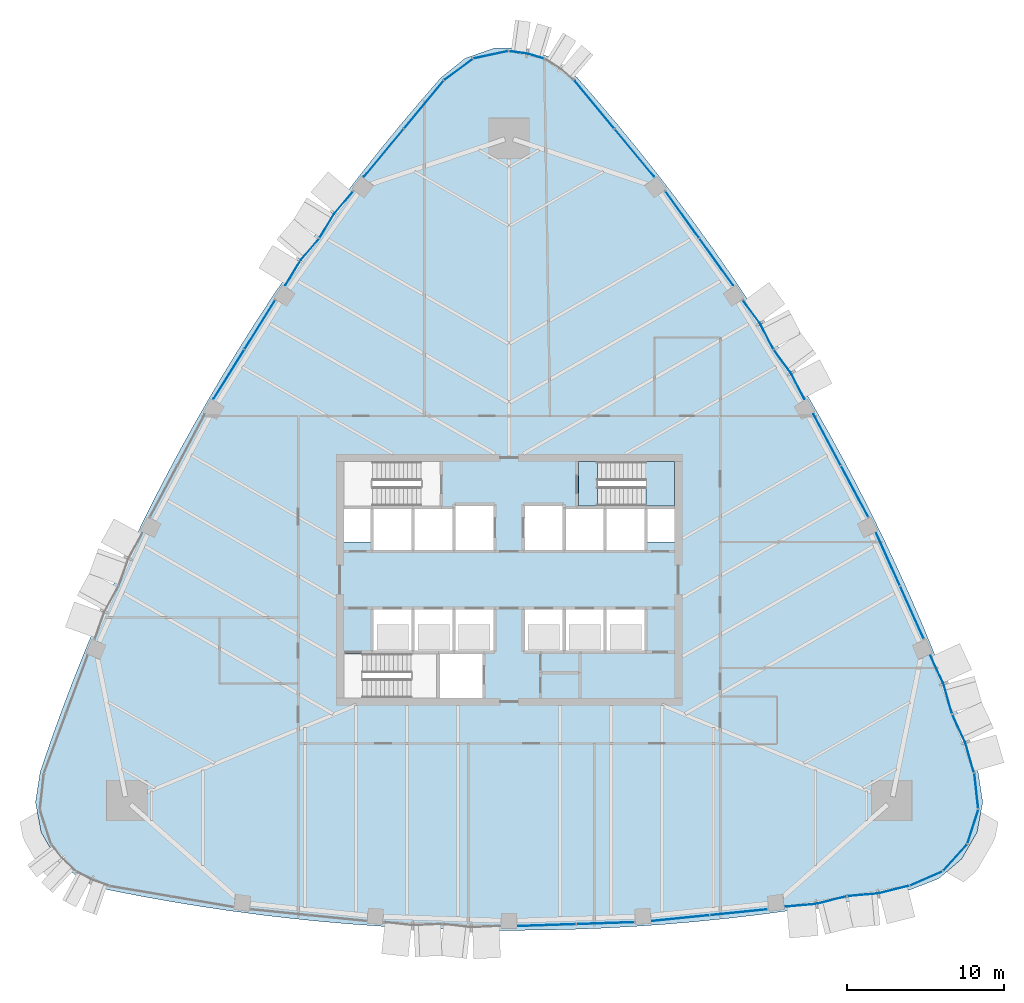
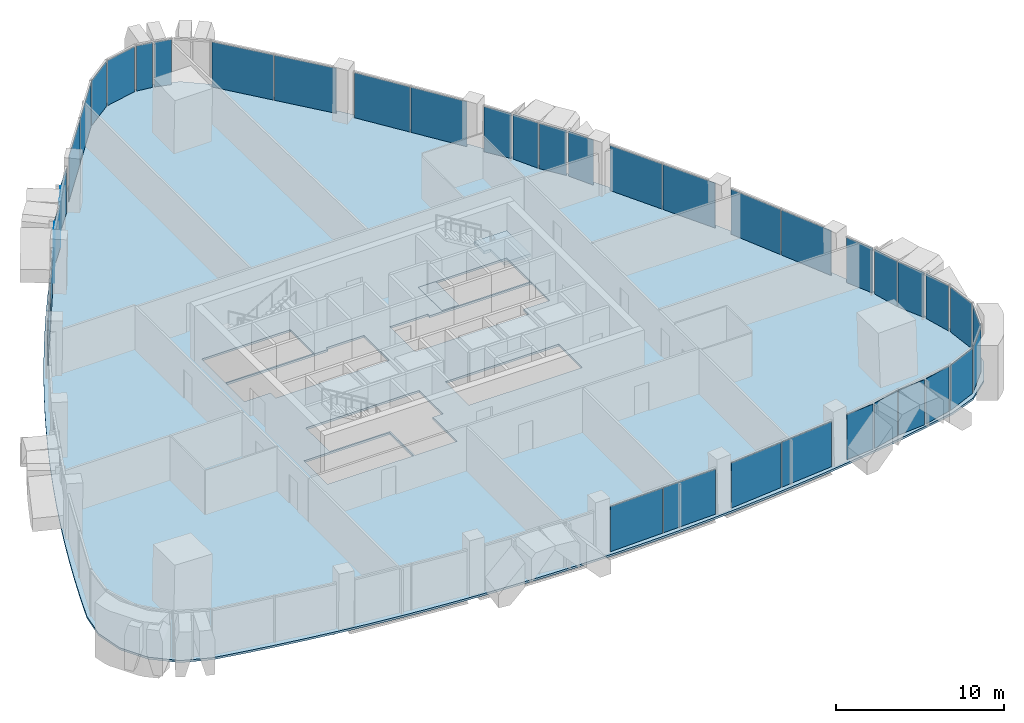
# One storey, part 9 of 17: 40 plates, 3 slabs, 20 elements without a shape of their own.
"""IFC4 building model written with IfcOpenShell, lengths in metres."""

from ifc_helpers import new_model, si_unit, direction, frame, origin, origin_2d, place, context, subcontext, project, spatial, polyline, rectangle, outline, extrude, material, layer, layer_set, type_object, element, aggregate, save


model = new_model("IFC4")

# Units and contexts
model_context = context("Model", 3, precision=1e-05, world=origin(), true_north=direction((0.0, 1.0)))
body_context = subcontext(model_context, "Body", "Model", "MODEL_VIEW")
ifc_project = project(units=[si_unit("LENGTHUNIT", "METRE"), si_unit("AREAUNIT", "SQUARE_METRE"), si_unit("VOLUMEUNIT", "CUBIC_METRE"), si_unit("PLANEANGLEUNIT", "RADIAN"), si_unit("MASSUNIT", "GRAM", prefix="KILO")], contexts=[model_context])

# Site, building, storey
site_placement = place(None, origin())
site = spatial("IfcSite", under=ifc_project, at=site_placement, CompositionType="ELEMENT")
building_placement = place(site_placement, origin())
building = spatial("IfcBuilding", under=site, at=building_placement, Name="Sierra Prisma Convention Tower", CompositionType="ELEMENT")
storey_placement = place(building_placement, frame((0.0, 0.0, 153.800048828125)))
storey = spatial("IfcBuildingStorey", under=building, at=storey_placement, Name="L33", CompositionType="ELEMENT", Elevation=153.800048828125)

# Curtain wall, plates
ifc_material_1 = material(Name="Aluminium and glass curtain wall", Category="aluminium")
ifc_layer_1 = layer(ifc_material_1, 0.179931640625)
ifc_layer_set_1 = layer_set([ifc_layer_1], Name="CW-1 Plain shaft curtain wall")
curtain_wall_type_1 = type_object("IfcCurtainWallType", Name="CW-1 Plain shaft curtain wall", PredefinedType="NOTDEFINED", material=ifc_layer_set_1)
curtain_wall_1_placement = place(storey_placement, origin())
curtain_wall_1 = element("IfcCurtainWall", 1, at=curtain_wall_1_placement, inside=storey, type_object=curtain_wall_type_1, Name="CW-1 S4 L33", PredefinedType="NOTDEFINED")
ifc_material_2 = material(Name="Tinted glass bronze-grey IGU", Category="glass")
ifc_layer_2 = layer(ifc_material_2, 0.028076171875)
ifc_layer_set_2 = layer_set([ifc_layer_2], Name="CW-1 glass panel")
plate_type_1 = type_object("IfcPlateType", Name="CW-1 glass panel", PredefinedType="CURTAIN_PANEL", material=ifc_layer_set_2)
plate_1_placement = place(storey_placement, frame((2.39501953125, -21.93505859375, 0.0), z_axis=(0.0, 0.0, 1.0), x_axis=(0.999435043349, 0.03360943507, 0.0)))
plate_1 = element("IfcPlate", 2, at=plate_1_placement, type_object=plate_type_1, Name="CW-1 panel S4.1", PredefinedType="CURTAIN_PANEL", context=body_context, shape_type="SweptSolid", body=[
    extrude(rectangle(XDim=3.652587890625, YDim=0.028076171875, at=origin_2d()), origin(), (0.0, 0.0, 1.0), 3.280029296875),
])
plate_2_placement = place(storey_placement, frame((6.115234375, -21.81005859375, 0.0), z_axis=(0.0, 0.0, 1.0), x_axis=(0.999435043349, 0.03360943507, 0.0)))
plate_2 = element("IfcPlate", 3, at=plate_2_placement, type_object=plate_type_1, Name="CW-1 panel S4.2", PredefinedType="CURTAIN_PANEL", context=body_context, shape_type="SweptSolid", body=[
    extrude(rectangle(XDim=3.652587890625, YDim=0.028076171875, at=origin_2d()), origin(), (0.0, 0.0, 1.0), 3.280029296875),
])
aggregate(curtain_wall_1, [plate_1, plate_2])

curtain_wall_2_placement = place(storey_placement, origin())
curtain_wall_2 = element("IfcCurtainWall", 4, at=curtain_wall_2_placement, inside=storey, type_object=curtain_wall_type_1, Name="CW-1 S5 L33", PredefinedType="NOTDEFINED")
plate_3_placement = place(storey_placement, frame((10.89892578125, -21.48876953125, 0.0), z_axis=(0.0, 0.0, 1.0), x_axis=(0.994919219535, 0.100676445112, 0.0)))
plate_3 = element("IfcPlate", 5, at=plate_3_placement, type_object=plate_type_1, Name="CW-1 panel S5.1", PredefinedType="CURTAIN_PANEL", context=body_context, shape_type="SweptSolid", body=[
    extrude(rectangle(XDim=3.636474609375, YDim=0.028076171875, at=origin_2d()), origin(), (0.0, 0.0, 1.0), 3.280029296875),
])
plate_4_placement = place(storey_placement, frame((14.58642578125, -21.115478515625, 0.0), z_axis=(0.0, 0.0, 1.0), x_axis=(0.994919219535, 0.100676445112, 0.0)))
plate_4 = element("IfcPlate", 6, at=plate_4_placement, type_object=plate_type_1, Name="CW-1 panel S5.2", PredefinedType="CURTAIN_PANEL", context=body_context, shape_type="SweptSolid", body=[
    extrude(rectangle(XDim=3.636474609375, YDim=0.028076171875, at=origin_2d()), origin(), (0.0, 0.0, 1.0), 3.280029296875),
])
aggregate(curtain_wall_2, [plate_3, plate_4])

# Curtain wall, plate
curtain_wall_3_placement = place(storey_placement, origin())
curtain_wall_3 = element("IfcCurtainWall", 7, at=curtain_wall_3_placement, inside=storey, type_object=curtain_wall_type_1, Name="CW-1 SE1 L33", PredefinedType="NOTDEFINED")
plate_5_placement = place(storey_placement, frame((26.4755859375, -18.97900390625, 0.0), z_axis=(0.0, 0.0, 1.0), x_axis=(0.915892638209, 0.401423311823, 0.0)))
plate_5 = element("IfcPlate", 8, at=plate_5_placement, type_object=plate_type_1, Name="CW-1 panel SE1.1", PredefinedType="CURTAIN_PANEL", context=body_context, shape_type="SweptSolid", body=[
    extrude(rectangle(XDim=2.1767578125, YDim=0.028076171875, at=origin_2d()), origin(), (0.0, 0.0, 1.0), 3.280029296875),
])
aggregate(curtain_wall_3, [plate_5])

curtain_wall_4_placement = place(storey_placement, origin())
curtain_wall_4 = element("IfcCurtainWall", 9, at=curtain_wall_4_placement, inside=storey, type_object=curtain_wall_type_1, Name="CW-1 SE2 L33", PredefinedType="NOTDEFINED")
plate_6_placement = place(storey_placement, frame((28.3134765625, -17.654541015625, 0.0), z_axis=(0.0, 0.0, 1.0), x_axis=(0.670568249654, 0.741847843264, 0.0)))
plate_6 = element("IfcPlate", 10, at=plate_6_placement, type_object=plate_type_1, Name="CW-1 panel SE2.1", PredefinedType="CURTAIN_PANEL", context=body_context, shape_type="SweptSolid", body=[
    extrude(rectangle(XDim=2.1767578125, YDim=0.028076171875, at=origin_2d()), origin(), (0.0, 0.0, 1.0), 3.280029296875),
])
aggregate(curtain_wall_4, [plate_6])

curtain_wall_5_placement = place(storey_placement, origin())
curtain_wall_5 = element("IfcCurtainWall", 11, at=curtain_wall_5_placement, inside=storey, type_object=curtain_wall_type_1, Name="CW-1 SE3 L33", PredefinedType="NOTDEFINED")
plate_7_placement = place(storey_placement, frame((29.446044921875, -15.69287109375, 0.0), z_axis=(0.0, 0.0, 1.0), x_axis=(0.307174953183, 0.951653060804, 0.0)))
plate_7 = element("IfcPlate", 12, at=plate_7_placement, type_object=plate_type_1, Name="CW-1 panel SE3.1", PredefinedType="CURTAIN_PANEL", context=body_context, shape_type="SweptSolid", body=[
    extrude(rectangle(XDim=2.1767578125, YDim=0.028076171875, at=origin_2d()), origin(), (0.0, 0.0, 1.0), 3.280029296875),
])
aggregate(curtain_wall_5, [plate_7])

curtain_wall_6_placement = place(storey_placement, origin())
curtain_wall_6 = element("IfcCurtainWall", 13, at=curtain_wall_6_placement, inside=storey, type_object=curtain_wall_type_1, Name="CW-1 SE4 L33", PredefinedType="NOTDEFINED")
plate_8_placement = place(storey_placement, frame((29.674072265625, -13.43896484375, 0.0), z_axis=(0.0, 0.0, 1.0), x_axis=(-0.110303533395, 0.993897947739, 0.0)))
plate_8 = element("IfcPlate", 14, at=plate_8_placement, type_object=plate_type_1, Name="CW-1 panel SE4.1", PredefinedType="CURTAIN_PANEL", context=body_context, shape_type="SweptSolid", body=[
    extrude(rectangle(XDim=2.1767578125, YDim=0.028076171875, at=origin_2d()), origin(), (0.0, 0.0, 1.0), 3.280029296875),
])
aggregate(curtain_wall_6, [plate_8])

# Curtain wall, plates
curtain_wall_7_placement = place(storey_placement, origin())
curtain_wall_7 = element("IfcCurtainWall", 15, at=curtain_wall_7_placement, inside=storey, type_object=curtain_wall_type_1, Name="CW-1 NE2 L33", PredefinedType="NOTDEFINED")
plate_9_placement = place(storey_placement, frame((25.579833984375, -2.07470703125, 0.0), z_axis=(0.0, 0.0, 1.0), x_axis=(-0.410271250738, 0.911963541386, 0.0)))
plate_9 = element("IfcPlate", 16, at=plate_9_placement, type_object=plate_type_1, Name="CW-1 panel NE2.1", PredefinedType="CURTAIN_PANEL", context=body_context, shape_type="SweptSolid", body=[
    extrude(rectangle(XDim=3.636474609375, YDim=0.028076171875, at=origin_2d()), origin(), (0.0, 0.0, 1.0), 3.280029296875),
])
plate_10_placement = place(storey_placement, frame((24.05908203125, 1.3056640625, 0.0), z_axis=(0.0, 0.0, 1.0), x_axis=(-0.410271250738, 0.911963541386, 0.0)))
plate_10 = element("IfcPlate", 17, at=plate_10_placement, type_object=plate_type_1, Name="CW-1 panel NE2.2", PredefinedType="CURTAIN_PANEL", context=body_context, shape_type="SweptSolid", body=[
    extrude(rectangle(XDim=3.636474609375, YDim=0.028076171875, at=origin_2d()), origin(), (0.0, 0.0, 1.0), 3.280029296875),
])
aggregate(curtain_wall_7, [plate_9, plate_10])

curtain_wall_8_placement = place(storey_placement, origin())
curtain_wall_8 = element("IfcCurtainWall", 18, at=curtain_wall_8_placement, inside=storey, type_object=curtain_wall_type_1, Name="CW-1 NE3 L33", PredefinedType="NOTDEFINED")
plate_11_placement = place(storey_placement, frame((21.94580078125, 5.60888671875, 0.0), z_axis=(0.0, 0.0, 1.0), x_axis=(-0.470610897097, 0.882340854508, 0.0)))
plate_11 = element("IfcPlate", 19, at=plate_11_placement, type_object=plate_type_1, Name="CW-1 panel NE3.1", PredefinedType="CURTAIN_PANEL", context=body_context, shape_type="SweptSolid", body=[
    extrude(rectangle(XDim=3.652587890625, YDim=0.028076171875, at=origin_2d()), origin(), (0.0, 0.0, 1.0), 3.280029296875),
])
plate_12_placement = place(storey_placement, frame((20.19384765625, 8.8935546875, 0.0), z_axis=(0.0, 0.0, 1.0), x_axis=(-0.470610897097, 0.882340854508, 0.0)))
plate_12 = element("IfcPlate", 20, at=plate_12_placement, type_object=plate_type_1, Name="CW-1 panel NE3.2", PredefinedType="CURTAIN_PANEL", context=body_context, shape_type="SweptSolid", body=[
    extrude(rectangle(XDim=3.652587890625, YDim=0.028076171875, at=origin_2d()), origin(), (0.0, 0.0, 1.0), 3.280029296875),
])
aggregate(curtain_wall_8, [plate_11, plate_12])

curtain_wall_9_placement = place(storey_placement, origin())
curtain_wall_9 = element("IfcCurtainWall", 21, at=curtain_wall_9_placement, inside=storey, type_object=curtain_wall_type_1, Name="CW-1 NE5 L33", PredefinedType="NOTDEFINED")
plate_13_placement = place(storey_placement, frame((13.159912109375, 20.183349609375, 0.0), z_axis=(0.0, 0.0, 1.0), x_axis=(-0.584647968797, 0.811287096274, 0.0)))
plate_13 = element("IfcPlate", 22, at=plate_13_placement, type_object=plate_type_1, Name="CW-1 panel NE5.1", PredefinedType="CURTAIN_PANEL", context=body_context, shape_type="SweptSolid", body=[
    extrude(rectangle(XDim=3.637451171875, YDim=0.028076171875, at=origin_2d()), origin(), (0.0, 0.0, 1.0), 3.280029296875),
])
plate_14_placement = place(storey_placement, frame((10.992431640625, 23.191162109375, 0.0), z_axis=(0.0, 0.0, 1.0), x_axis=(-0.584647968797, 0.811287096274, 0.0)))
plate_14 = element("IfcPlate", 23, at=plate_14_placement, type_object=plate_type_1, Name="CW-1 panel NE5.2", PredefinedType="CURTAIN_PANEL", context=body_context, shape_type="SweptSolid", body=[
    extrude(rectangle(XDim=3.637451171875, YDim=0.028076171875, at=origin_2d()), origin(), (0.0, 0.0, 1.0), 3.280029296875),
])
aggregate(curtain_wall_9, [plate_13, plate_14])

curtain_wall_10_placement = place(storey_placement, origin())
curtain_wall_10 = element("IfcCurtainWall", 24, at=curtain_wall_10_placement, inside=storey, type_object=curtain_wall_type_1, Name="CW-1 NE6 L33", PredefinedType="NOTDEFINED")
plate_15_placement = place(storey_placement, frame((7.960693359375, 27.108154296875, 0.0), z_axis=(0.0, 0.0, 1.0), x_axis=(-0.637830131698, 0.77017707256, 0.0)))
plate_15 = element("IfcPlate", 25, at=plate_15_placement, type_object=plate_type_1, Name="CW-1 panel NE6.1", PredefinedType="CURTAIN_PANEL", context=body_context, shape_type="SweptSolid", body=[
    extrude(rectangle(XDim=3.908935546875, YDim=0.028076171875, at=origin_2d()), origin(), (0.0, 0.0, 1.0), 3.280029296875),
])
plate_16_placement = place(storey_placement, frame((5.4228515625, 30.172607421875, 0.0), z_axis=(0.0, 0.0, 1.0), x_axis=(-0.637830131698, 0.77017707256, 0.0)))
plate_16 = element("IfcPlate", 26, at=plate_16_placement, type_object=plate_type_1, Name="CW-1 panel NE6.2", PredefinedType="CURTAIN_PANEL", context=body_context, shape_type="SweptSolid", body=[
    extrude(rectangle(XDim=3.908935546875, YDim=0.028076171875, at=origin_2d()), origin(), (0.0, 0.0, 1.0), 3.280029296875),
])
aggregate(curtain_wall_10, [plate_15, plate_16])

# Curtain wall, plate
curtain_wall_11_placement = place(storey_placement, origin())
curtain_wall_11 = element("IfcCurtainWall", 27, at=curtain_wall_11_placement, inside=storey, type_object=curtain_wall_type_1, Name="CW-1 N3 L33", PredefinedType="NOTDEFINED")
plate_17_placement = place(storey_placement, frame((-1.132568359375, 33.347412109375, 0.0), z_axis=(0.0, 0.0, 1.0), x_axis=(-0.977743202837, -0.209805217539, 0.0)))
plate_17 = element("IfcPlate", 28, at=plate_17_placement, type_object=plate_type_1, Name="CW-1 panel N3.1", PredefinedType="CURTAIN_PANEL", context=body_context, shape_type="SweptSolid", body=[
    extrude(rectangle(XDim=2.1767578125, YDim=0.028076171875, at=origin_2d()), origin(), (0.0, 0.0, 1.0), 3.280029296875),
])
aggregate(curtain_wall_11, [plate_17])

curtain_wall_12_placement = place(storey_placement, origin())
curtain_wall_12 = element("IfcCurtainWall", 29, at=curtain_wall_12_placement, inside=storey, type_object=curtain_wall_type_1, Name="CW-1 N4 L33", PredefinedType="NOTDEFINED")
plate_18_placement = place(storey_placement, frame((-3.198486328125, 32.41796875, 0.0), z_axis=(0.0, 0.0, 1.0), x_axis=(-0.805589104814, -0.592474635917, 0.0)))
plate_18 = element("IfcPlate", 30, at=plate_18_placement, type_object=plate_type_1, Name="CW-1 panel N4.1", PredefinedType="CURTAIN_PANEL", context=body_context, shape_type="SweptSolid", body=[
    extrude(rectangle(XDim=2.1767578125, YDim=0.028076171875, at=origin_2d()), origin(), (0.0, 0.0, 1.0), 3.280029296875),
])
aggregate(curtain_wall_12, [plate_18])

# Curtain wall, plates
curtain_wall_13_placement = place(storey_placement, origin())
curtain_wall_13 = element("IfcCurtainWall", 31, at=curtain_wall_13_placement, inside=storey, type_object=curtain_wall_type_1, Name="CW-1 NW1 L33", PredefinedType="NOTDEFINED")
plate_19_placement = place(storey_placement, frame((-5.4228515625, 30.172607421875, 0.0), z_axis=(0.0, 0.0, 1.0), x_axis=(-0.637830131698, -0.77017707256, 0.0)))
plate_19 = element("IfcPlate", 32, at=plate_19_placement, type_object=plate_type_1, Name="CW-1 panel NW1.1", PredefinedType="CURTAIN_PANEL", context=body_context, shape_type="SweptSolid", body=[
    extrude(rectangle(XDim=3.908935546875, YDim=0.028076171875, at=origin_2d()), origin(), (0.0, 0.0, 1.0), 3.280029296875),
])
plate_20_placement = place(storey_placement, frame((-7.960693359375, 27.108154296875, 0.0), z_axis=(0.0, 0.0, 1.0), x_axis=(-0.637830131698, -0.77017707256, 0.0)))
plate_20 = element("IfcPlate", 33, at=plate_20_placement, type_object=plate_type_1, Name="CW-1 panel NW1.2", PredefinedType="CURTAIN_PANEL", context=body_context, shape_type="SweptSolid", body=[
    extrude(rectangle(XDim=3.908935546875, YDim=0.028076171875, at=origin_2d()), origin(), (0.0, 0.0, 1.0), 3.280029296875),
])
aggregate(curtain_wall_13, [plate_19, plate_20])

curtain_wall_14_placement = place(storey_placement, origin())
curtain_wall_14 = element("IfcCurtainWall", 34, at=curtain_wall_14_placement, inside=storey, type_object=curtain_wall_type_1, Name="CW-1 NW3 L33", PredefinedType="NOTDEFINED")
plate_21_placement = place(storey_placement, frame((-15.830322265625, 16.200927734375, 0.0), z_axis=(0.0, 0.0, 1.0), x_axis=(-0.528824146252, -0.848731419438, 0.0)))
plate_21 = element("IfcPlate", 35, at=plate_21_placement, type_object=plate_type_1, Name="CW-1 panel NW3.1", PredefinedType="CURTAIN_PANEL", context=body_context, shape_type="SweptSolid", body=[
    extrude(rectangle(XDim=3.652587890625, YDim=0.028076171875, at=origin_2d()), origin(), (0.0, 0.0, 1.0), 3.280029296875),
])
plate_22_placement = place(storey_placement, frame((-17.799072265625, 13.041748046875, 0.0), z_axis=(0.0, 0.0, 1.0), x_axis=(-0.528824146252, -0.848731419438, 0.0)))
plate_22 = element("IfcPlate", 36, at=plate_22_placement, type_object=plate_type_1, Name="CW-1 panel NW3.2", PredefinedType="CURTAIN_PANEL", context=body_context, shape_type="SweptSolid", body=[
    extrude(rectangle(XDim=3.652587890625, YDim=0.028076171875, at=origin_2d()), origin(), (0.0, 0.0, 1.0), 3.280029296875),
])
aggregate(curtain_wall_14, [plate_21, plate_22])

ifc_material_3 = material(Name="Aluminium and glass curtain wall", Category="aluminium")
ifc_layer_3 = layer(ifc_material_3, 0.179931640625)
ifc_layer_set_3 = layer_set([ifc_layer_3], Name="CW-2 Faceted crystal curtain wall")
curtain_wall_type_2 = type_object("IfcCurtainWallType", Name="CW-2 Faceted crystal curtain wall", PredefinedType="NOTDEFINED", material=ifc_layer_set_3)
curtain_wall_15_placement = place(storey_placement, origin())
curtain_wall_15 = element("IfcCurtainWall", 37, at=curtain_wall_15_placement, inside=storey, type_object=curtain_wall_type_2, Name="CW-2 S6 L33", PredefinedType="NOTDEFINED")
ifc_material_4 = material(Name="Tinted glass bronze-grey IGU", Category="glass")
ifc_layer_4 = layer(ifc_material_4, 0.028076171875)
ifc_layer_set_4 = layer_set([ifc_layer_4], Name="CW-2 crystal pane")
plate_type_2 = type_object("IfcPlateType", Name="CW-2 crystal pane", PredefinedType="CURTAIN_PANEL", material=ifc_layer_set_4)
plate_23_placement = place(storey_placement, frame((17.569091796875, -20.775146484375, 0.0), z_axis=(0.089386002753, -0.99599705949, 0.0), x_axis=(0.99599705949, 0.089386002753, 0.0)))
plate_23 = element("IfcPlate", 38, at=plate_23_placement, type_object=plate_type_2, Name="CW-2 pane S6.1.1", PredefinedType="CURTAIN_PANEL", context=body_context, shape_type="SweptSolid", body=[
    extrude(outline(polyline([(0.0, 0.0), (1.8955271354842074, 0.0), (1.8955271354842074, 3.280029296875), (0.0, 3.280029296875), (0.0, 0.0)])), origin(), (0.0, 0.0, -1.0), 0.028076171875),
])
plate_24_placement = place(storey_placement, frame((21.4228515625, -20.121337890625, 0.0), z_axis=(0.24408094856, -0.96975486106, 0.0), x_axis=(-0.96975486106, -0.24408094856, 0.0)))
plate_24 = element("IfcPlate", 39, at=plate_24_placement, type_object=plate_type_2, Name="CW-2 pane S6.1.2", PredefinedType="CURTAIN_PANEL", context=body_context, shape_type="SweptSolid", body=[
    extrude(outline(polyline([(0.0, 0.0), (1.8954633170029487, 0.0), (1.8954633170029487, -3.280029296875), (0.0, -3.280029296875), (0.0, 0.0)])), origin(), (0.0, 0.0, -1.0), 0.028076171875),
])
plate_25_placement = place(storey_placement, frame((21.491943359375, -20.109619140625, 0.0), z_axis=(0.089397470896, -0.995996030212, 0.0), x_axis=(0.995996030212, 0.089397470896, 0.0)))
plate_25 = element("IfcPlate", 40, at=plate_25_placement, type_object=plate_type_2, Name="CW-2 pane S6.2.1", PredefinedType="CURTAIN_PANEL", context=body_context, shape_type="SweptSolid", body=[
    extrude(outline(polyline([(0.0, 0.0), (1.8952839722652415, 0.0), (1.8952839722652415, 3.280029296875), (0.0, 3.280029296875), (0.0, 0.0)])), origin(), (0.0, 0.0, -1.0), 0.028076171875),
])
plate_26_placement = place(storey_placement, frame((25.345458984375, -19.455810546875, 0.0), z_axis=(0.244111439657, -0.969747186141, 0.0), x_axis=(-0.969747186141, -0.244111439657, 0.0)))
plate_26 = element("IfcPlate", 41, at=plate_26_placement, type_object=plate_type_2, Name="CW-2 pane S6.2.2", PredefinedType="CURTAIN_PANEL", context=body_context, shape_type="SweptSolid", body=[
    extrude(outline(polyline([(0.0, 0.0), (1.895226561381894, 0.0), (1.895226561381894, -3.280029296875), (0.0, -3.280029296875), (0.0, 0.0)])), origin(), (0.0, 0.0, -1.0), 0.028076171875),
])
aggregate(curtain_wall_15, [plate_23, plate_24, plate_25, plate_26])

curtain_wall_16_placement = place(storey_placement, origin())
curtain_wall_16 = element("IfcCurtainWall", 42, at=curtain_wall_16_placement, inside=storey, type_object=curtain_wall_type_2, Name="CW-2 NE1 L33", PredefinedType="NOTDEFINED")
plate_27_placement = place(storey_placement, frame((29.52197265625, -12.221923828125, 0.0), z_axis=(0.961878000422, 0.273478906508, 0.0), x_axis=(-0.273478906508, 0.961878000422, 0.0)))
plate_27 = element("IfcPlate", 43, at=plate_27_placement, type_object=plate_type_2, Name="CW-2 pane NE1.1.1", PredefinedType="CURTAIN_PANEL", context=body_context, shape_type="SweptSolid", body=[
    extrude(outline(polyline([(0.0, 0.0), (1.895248717691672, 0.0), (1.895248717691672, 3.280029296875001), (0.0, 3.280029296875001), (0.0, 0.0)])), origin(), (0.0, 0.0, -1.0), 0.028076171875),
])
plate_28_placement = place(storey_placement, frame((28.161376953125, -8.5576171875, 0.0), z_axis=(0.907275848549, 0.420536008732, 0.0), x_axis=(0.420536008732, -0.907275848549, 0.0)))
plate_28 = element("IfcPlate", 44, at=plate_28_placement, type_object=plate_type_2, Name="CW-2 pane NE1.1.2", PredefinedType="CURTAIN_PANEL", context=body_context, shape_type="SweptSolid", body=[
    extrude(outline(polyline([(0.0, 0.0), (1.8954836781462416, 0.0), (1.8954836781462416, -3.280029296875), (0.0, -3.280029296875), (0.0, 0.0)])), origin(), (0.0, 0.0, -1.0), 0.028076171875),
])
plate_29_placement = place(storey_placement, frame((28.136962890625, -8.491943359375, 0.0), z_axis=(0.961878000422, 0.273478906508, 0.0), x_axis=(-0.273478906508, 0.961878000422, 0.0)))
plate_29 = element("IfcPlate", 45, at=plate_29_placement, type_object=plate_type_2, Name="CW-2 pane NE1.2.1", PredefinedType="CURTAIN_PANEL", context=body_context, shape_type="SweptSolid", body=[
    extrude(outline(polyline([(0.0, 0.0), (1.895248717691672, 0.0), (1.895248717691672, 3.280029296875001), (0.0, 3.280029296875001), (0.0, 0.0)])), origin(), (0.0, 0.0, -1.0), 0.028076171875),
])
plate_30_placement = place(storey_placement, frame((26.7763671875, -4.82763671875, 0.0), z_axis=(0.907275848549, 0.420536008732, 0.0), x_axis=(0.420536008732, -0.907275848549, 0.0)))
plate_30 = element("IfcPlate", 46, at=plate_30_placement, type_object=plate_type_2, Name="CW-2 pane NE1.2.2", PredefinedType="CURTAIN_PANEL", context=body_context, shape_type="SweptSolid", body=[
    extrude(outline(polyline([(0.0, 0.0), (1.8954836781462416, 0.0), (1.8954836781462416, -3.280029296875), (0.0, -3.280029296875), (0.0, 0.0)])), origin(), (0.0, 0.0, -1.0), 0.028076171875),
])
aggregate(curtain_wall_16, [plate_27, plate_28, plate_29, plate_30])

curtain_wall_17_placement = place(storey_placement, origin())
curtain_wall_17 = element("IfcCurtainWall", 47, at=curtain_wall_17_placement, inside=storey, type_object=curtain_wall_type_2, Name="CW-2 NE4 L33", PredefinedType="NOTDEFINED")
plate_31_placement = place(storey_placement, frame((18.7646484375, 11.49169921875, 0.0), z_axis=(0.887639481958, 0.460538977797, 0.0), x_axis=(-0.460538977797, 0.887639481958, 0.0)))
plate_31 = element("IfcPlate", 48, at=plate_31_placement, type_object=plate_type_2, Name="CW-2 pane NE4.1.1", PredefinedType="CURTAIN_PANEL", context=body_context, shape_type="SweptSolid", body=[
    extrude(outline(polyline([(0.0, 0.0), (1.7668878039775573, 0.0), (1.7668878039775573, 3.280029296875001), (0.0, 3.280029296875001), (0.0, 0.0)])), origin(), (0.0, 0.0, -1.0), 0.028076171875),
])
plate_32_placement = place(storey_placement, frame((16.8330078125, 14.591796875, 0.0), z_axis=(0.804618084364, 0.593792672836, 0.0), x_axis=(0.593792672836, -0.804618084364, 0.0)))
plate_32 = element("IfcPlate", 49, at=plate_32_placement, type_object=plate_type_2, Name="CW-2 pane NE4.1.2", PredefinedType="CURTAIN_PANEL", context=body_context, shape_type="SweptSolid", body=[
    extrude(outline(polyline([(0.0, 0.0), (1.767142732223522, 0.0), (1.767142732223522, -3.280029296875), (0.0, -3.280029296875), (0.0, 0.0)])), origin(), (0.0, 0.0, -1.0), 0.028076171875),
])
plate_33_placement = place(storey_placement, frame((16.796142578125, 14.651123046875, 0.0), z_axis=(0.887582993753, 0.460647836422, 0.0), x_axis=(-0.460647836422, 0.887582993753, 0.0)))
plate_33 = element("IfcPlate", 50, at=plate_33_placement, type_object=plate_type_2, Name="CW-2 pane NE4.2.1", PredefinedType="CURTAIN_PANEL", context=body_context, shape_type="SweptSolid", body=[
    extrude(outline(polyline([(0.0, 0.0), (1.767000253540263, 0.0), (1.767000253540263, 3.280029296875), (0.0, 3.280029296875), (0.0, 0.0)])), origin(), (0.0, 0.0, -1.0), 0.028076171875),
])
plate_34_placement = place(storey_placement, frame((14.864501953125, 17.751220703125, 0.0), z_axis=(0.804569364002, 0.59385868564, 0.0), x_axis=(0.59385868564, -0.804569364002, 0.0)))
plate_34 = element("IfcPlate", 51, at=plate_34_placement, type_object=plate_type_2, Name="CW-2 pane NE4.2.2", PredefinedType="CURTAIN_PANEL", context=body_context, shape_type="SweptSolid", body=[
    extrude(outline(polyline([(0.0, 0.0), (1.7669462982084987, 0.0), (1.7669462982084987, -3.280029296875), (0.0, -3.280029296875), (0.0, 0.0)])), origin(), (0.0, 0.0, -1.0), 0.028076171875),
])
aggregate(curtain_wall_17, [plate_31, plate_32, plate_33, plate_34])

curtain_wall_18_placement = place(storey_placement, origin())
curtain_wall_18 = element("IfcCurtainWall", 52, at=curtain_wall_18_placement, inside=storey, type_object=curtain_wall_type_2, Name="CW-2 N2 L33", PredefinedType="NOTDEFINED")
plate_35_placement = place(storey_placement, frame((2.19677734375, 33.119140625, 0.0), z_axis=(0.285820445375, 0.958283190401, 0.0), x_axis=(-0.958283190401, 0.285820445375, 0.0)))
plate_35 = element("IfcPlate", 53, at=plate_35_placement, type_object=plate_type_2, Name="CW-2 pane N2.1.1", PredefinedType="CURTAIN_PANEL", context=body_context, shape_type="SweptSolid", body=[
    extrude(outline(polyline([(0.0, 0.0), (1.0267181232074873, 0.0), (1.0267181232074873, 3.280029296875), (0.0, 3.280029296875), (0.0, 0.0)])), origin(), (0.0, 0.0, -1.0), 0.028076171875),
])
plate_36_placement = place(storey_placement, frame((0.068359375, 33.57568359375, 0.0), z_axis=(0.13242846225, 0.991192565744, 0.0), x_axis=(0.991192565744, -0.13242846225, 0.0)))
plate_36 = element("IfcPlate", 54, at=plate_36_placement, type_object=plate_type_2, Name="CW-2 pane N2.1.2", PredefinedType="CURTAIN_PANEL", context=body_context, shape_type="SweptSolid", body=[
    extrude(outline(polyline([(0.0, 0.0), (1.026866323256795, 0.0), (1.026866323256795, -3.280029296875), (0.0, -3.280029296875), (0.0, 0.0)])), origin(), (0.0, 0.0, -1.0), 0.028076171875),
])
aggregate(curtain_wall_18, [plate_35, plate_36])

curtain_wall_19_placement = place(storey_placement, origin())
curtain_wall_19 = element("IfcCurtainWall", 55, at=curtain_wall_19_placement, inside=storey, type_object=curtain_wall_type_2, Name="CW-2 NW2 L33", PredefinedType="NOTDEFINED")
plate_37_placement = place(storey_placement, frame((-9.930419921875, 24.6650390625, 0.0), z_axis=(-0.762938536787, 0.646471027259, 0.0), x_axis=(-0.646471027259, -0.762938536787, 0.0)))
plate_37 = element("IfcPlate", 56, at=plate_37_placement, type_object=plate_type_2, Name="CW-2 pane NW2.1.1", PredefinedType="CURTAIN_PANEL", context=body_context, shape_type="SweptSolid", body=[
    extrude(outline(polyline([(0.0, 0.0), (1.7587221123355792, 0.0), (1.7587221123355792, 3.280029296875), (0.0, 3.280029296875), (0.0, 0.0)])), origin(), (0.0, 0.0, -1.0), 0.028076171875),
])
plate_38_placement = place(storey_placement, frame((-12.056396484375, 21.71484375, 0.0), z_axis=(-0.854651156152, 0.519202659169, 0.0), x_axis=(0.519202659169, 0.854651156152, 0.0)))
plate_38 = element("IfcPlate", 57, at=plate_38_placement, type_object=plate_type_2, Name="CW-2 pane NW2.1.2", PredefinedType="CURTAIN_PANEL", context=body_context, shape_type="SweptSolid", body=[
    extrude(outline(polyline([(0.0, 0.0), (1.7591013104333117, 0.0), (1.7591013104333117, -3.280029296875001), (0.0, -3.280029296875001), (0.0, 0.0)])), origin(), (0.0, 0.0, -1.0), 0.028076171875),
])
plate_39_placement = place(storey_placement, frame((-12.09716796875, 21.658203125, 0.0), z_axis=(-0.76287007163, 0.64655181835, 0.0), x_axis=(-0.64655181835, -0.76287007163, 0.0)))
plate_39 = element("IfcPlate", 58, at=plate_39_placement, type_object=plate_type_2, Name="CW-2 pane NW2.2.1", PredefinedType="CURTAIN_PANEL", context=body_context, shape_type="SweptSolid", body=[
    extrude(outline(polyline([(0.0, 0.0), (1.7588799520388547, 0.0), (1.7588799520388547, 3.280029296875), (0.0, 3.280029296875), (0.0, 0.0)])), origin(), (0.0, 0.0, -1.0), 0.028076171875),
])
plate_40_placement = place(storey_placement, frame((-14.223388671875, 18.7080078125, 0.0), z_axis=(-0.854613736453, 0.519264250133, 0.0), x_axis=(0.519264250133, 0.854613736453, 0.0)))
plate_40 = element("IfcPlate", 59, at=plate_40_placement, type_object=plate_type_2, Name="CW-2 pane NW2.2.2", PredefinedType="CURTAIN_PANEL", context=body_context, shape_type="SweptSolid", body=[
    extrude(outline(polyline([(0.0, 0.0), (1.7588926599334553, 0.0), (1.7588926599334553, -3.280029296875), (0.0, -3.280029296875), (0.0, 0.0)])), origin(), (0.0, 0.0, -1.0), 0.028076171875),
])
aggregate(curtain_wall_19, [plate_37, plate_38, plate_39, plate_40])

# Slab
ifc_material_5 = material(Name="Concrete C35/45", Category="concrete")
ifc_layer_5 = layer(ifc_material_5, 0.14990234375)
ifc_layer_set_5 = layer_set([ifc_layer_5], Name="Composite floor slab 150")
slab_type_1 = type_object("IfcSlabType", Name="Composite floor slab 150", PredefinedType="FLOOR", material=ifc_layer_set_5)
slab_1_placement = place(storey_placement, frame((0.0, 0.0, -0.150146484375)))
element("IfcSlab", 60, at=slab_1_placement, inside=storey, type_object=slab_type_1, Name="Floor slab L33 floor", PredefinedType="FLOOR", context=body_context, shape_type="SweptSolid", body=[
    extrude(outline(polyline([(-25.464599609375, -19.68896484375), (-23.529541015625, -20.069091796875), (-21.588623046875, -20.4189453125), (-19.642578125, -20.73876953125), (-17.69189453125, -21.028564453125), (-15.73681640625, -21.287841796875), (-13.778076171875, -21.516845703125), (-11.81591796875, -21.71533203125), (-9.850830078125, -21.883544921875), (-7.883544921875, -22.02099609375), (-5.914306640625, -22.1279296875), (-3.943603515625, -22.20458984375), (-1.97216796875, -22.25048828125), (0.0, -22.265625), (1.97216796875, -22.25048828125), (3.943603515625, -22.20458984375), (5.914306640625, -22.1279296875), (7.883544921875, -22.02099609375), (9.850830078125, -21.883544921875), (11.81591796875, -21.71533203125), (13.778076171875, -21.516845703125), (15.73681640625, -21.287841796875), (17.69189453125, -21.028564453125), (19.642578125, -20.73876953125), (21.588623046875, -20.4189453125), (23.529541015625, -20.069091796875), (25.464599609375, -19.68896484375), (27.275146484375, -18.985107421875), (28.749755859375, -17.72021484375), (29.720947265625, -16.037841796875), (30.0791015625, -14.128662109375), (29.783447265625, -12.20849609375), (29.14501953125, -10.342529296875), (28.477783203125, -8.48681640625), (27.78173828125, -6.6416015625), (27.05712890625, -4.807373046875), (26.30419921875, -2.984619140625), (25.523193359375, -1.173828125), (24.714111328125, 0.624755859375), (23.876953125, 2.41064453125), (23.012451171875, 4.18310546875), (22.12060546875, 5.942138671875), (21.201416015625, 7.68701171875), (20.25537109375, 9.417236328125), (19.28271484375, 11.1328125), (18.283447265625, 12.8330078125), (17.2578125, 14.517578125), (16.206298828125, 16.18603515625), (15.12890625, 17.837890625), (14.026123046875, 19.472900390625), (12.898193359375, 21.090576171875), (11.7451171875, 22.6904296875), (10.5673828125, 24.2724609375), (9.365234375, 25.8359375), (8.13916015625, 27.38037109375), (6.88916015625, 28.90576171875), (5.615478515625, 30.41162109375), (4.31884765625, 31.8974609375), (2.803955078125, 33.113525390625), (0.97119140625, 33.758056640625), (-0.97119140625, 33.758056640625), (-2.803955078125, 33.113525390625), (-4.31884765625, 31.8974609375), (-5.615478515625, 30.41162109375), (-6.88916015625, 28.90576171875), (-8.13916015625, 27.38037109375), (-9.365234375, 25.8359375), (-10.5673828125, 24.2724609375), (-11.7451171875, 22.6904296875), (-12.898193359375, 21.090576171875), (-14.026123046875, 19.472900390625), (-15.12890625, 17.837890625), (-16.206298828125, 16.18603515625), (-17.2578125, 14.517578125), (-18.283447265625, 12.8330078125), (-19.28271484375, 11.1328125), (-20.25537109375, 9.417236328125), (-21.201416015625, 7.68701171875), (-22.12060546875, 5.942138671875), (-23.012451171875, 4.18310546875), (-23.876953125, 2.41064453125), (-24.714111328125, 0.624755859375), (-25.523193359375, -1.173828125), (-26.30419921875, -2.984619140625), (-27.05712890625, -4.807373046875), (-27.78173828125, -6.6416015625), (-28.477783203125, -8.48681640625), (-29.14501953125, -10.342529296875), (-29.783447265625, -12.20849609375), (-30.0791015625, -14.128662109375), (-29.720947265625, -16.037841796875), (-28.749755859375, -17.72021484375), (-27.275146484375, -18.985107421875), (-25.464599609375, -19.68896484375)]), holes=[polyline([(-4.60009765625, -7.5), (-10.5, -7.5), (-10.5, -4.699951171875), (-4.60009765625, -4.699951171875), (-4.60009765625, -7.5)]), polyline([(-8.699951171875, -4.60009765625), (-8.699951171875, -1.800048828125), (-6.10009765625, -1.800048828125), (-3.5, -1.800048828125), (-0.89990234375, -1.800048828125), (-0.89990234375, -4.60009765625), (-1.60009765625, -4.60009765625), (-1.60009765625, -7.5), (-4.5, -7.5), (-4.5, -4.60009765625), (-6.10009765625, -4.60009765625), (-8.699951171875, -4.60009765625)]), polyline([(-10.5, 4.60009765625), (-8.699951171875, 4.60009765625), (-6.10009765625, 4.60009765625), (-3.5, 4.60009765625), (-3.5, 4.800048828125), (-0.89990234375, 4.800048828125), (-0.89990234375, 1.800048828125), (-3.5, 1.800048828125), (-6.10009765625, 1.800048828125), (-8.699951171875, 1.800048828125), (-8.699951171875, 2.39990234375), (-10.5, 2.39990234375), (-10.5, 4.60009765625)]), polyline([(-10.5, 4.699951171875), (-10.5, 7.5), (-4.39990234375, 7.5), (-4.39990234375, 4.699951171875), (-10.5, 4.699951171875)]), polyline([(6.10009765625, -1.800048828125), (8.699951171875, -1.800048828125), (8.699951171875, -4.60009765625), (6.10009765625, -4.60009765625), (3.5, -4.60009765625), (0.89990234375, -4.60009765625), (0.89990234375, -1.800048828125), (3.5, -1.800048828125), (6.10009765625, -1.800048828125)]), polyline([(8.699951171875, 4.60009765625), (10.5, 4.60009765625), (10.5, 2.39990234375), (8.699951171875, 2.39990234375), (8.699951171875, 1.800048828125), (6.10009765625, 1.800048828125), (3.5, 1.800048828125), (0.89990234375, 1.800048828125), (0.89990234375, 4.800048828125), (3.5, 4.800048828125), (3.5, 4.60009765625), (6.10009765625, 4.60009765625), (8.699951171875, 4.60009765625)]), polyline([(4.39990234375, 4.699951171875), (4.39990234375, 7.5), (10.5, 7.5), (10.5, 4.699951171875), (4.39990234375, 4.699951171875)])]), origin(), (0.0, 0.0, 1.0), 0.150146484375),
])

# Stair, slab
ifc_material_6 = material(Name="Concrete C30/37", Category="concrete")
stair_type = type_object("IfcStairType", Name="Stair dog-leg 1200 RC", PredefinedType="HALF_TURN_STAIR", material=ifc_material_6)
stair_placement = place(storey_placement, origin())
stair = element("IfcStair", 61, at=stair_placement, inside=storey, type_object=stair_type, Name="L33 S4", PredefinedType="HALF_TURN_STAIR")
ifc_material_7 = material(Name="Concrete C35/45", Category="concrete")
ifc_layer_6 = layer(ifc_material_7, 0.199951171875)
ifc_layer_set_6 = layer_set([ifc_layer_6], Name="Stair landing slab")
slab_type_2 = type_object("IfcSlabType", Name="Stair landing slab", PredefinedType="LANDING", material=ifc_layer_set_6)
slab_2_placement = place(storey_placement, frame((0.0, 0.0, 1.800048828125)))
slab_2 = element("IfcSlab", 62, at=slab_2_placement, type_object=slab_type_2, Name="S4 landing 1", PredefinedType="LANDING", context=body_context, shape_type="SweptSolid", body=[
    extrude(outline(polyline([(10.5, 7.5), (10.5, 4.699951171875), (8.677978515625, 4.699951171875), (8.677978515625, 6.300048828125), (8.22998046875, 6.300048828125), (8.22998046875, 7.5), (10.5, 7.5)])), origin(), (0.0, 0.0, 1.0), 0.199951171875),
])
aggregate(stair, [slab_2])

# Slab
slab_3_placement = place(storey_placement, frame((0.0, 0.0, -0.199951171875)))
element("IfcSlab", 63, at=slab_3_placement, inside=storey, type_object=slab_type_2, Name="S4 floor landing L33", PredefinedType="LANDING", context=body_context, shape_type="SweptSolid", body=[
    extrude(outline(polyline([(4.39990234375, 4.699951171875), (5.60205078125, 4.699951171875), (5.60205078125, 7.5), (4.39990234375, 7.5), (4.39990234375, 4.699951171875)])), origin(), (0.0, 0.0, 1.0), 0.199951171875),
])

save(model, "model.ifc")
